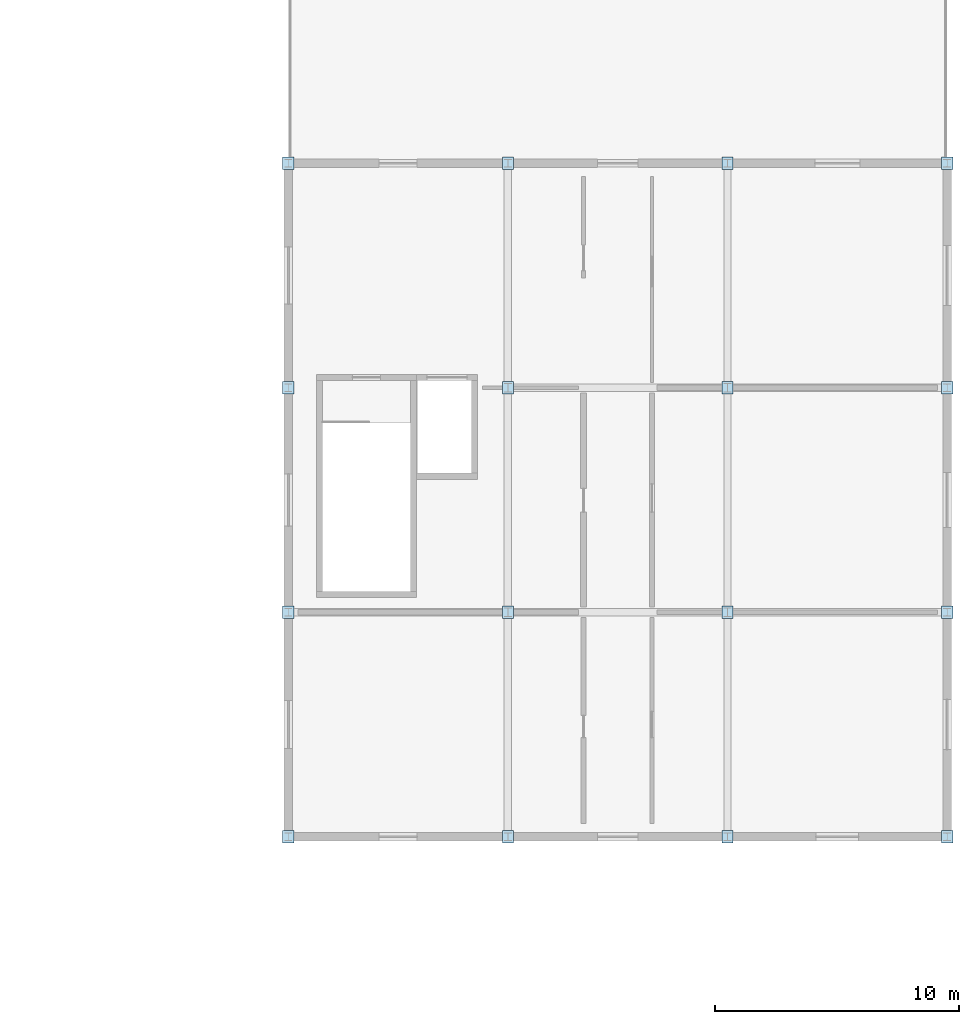
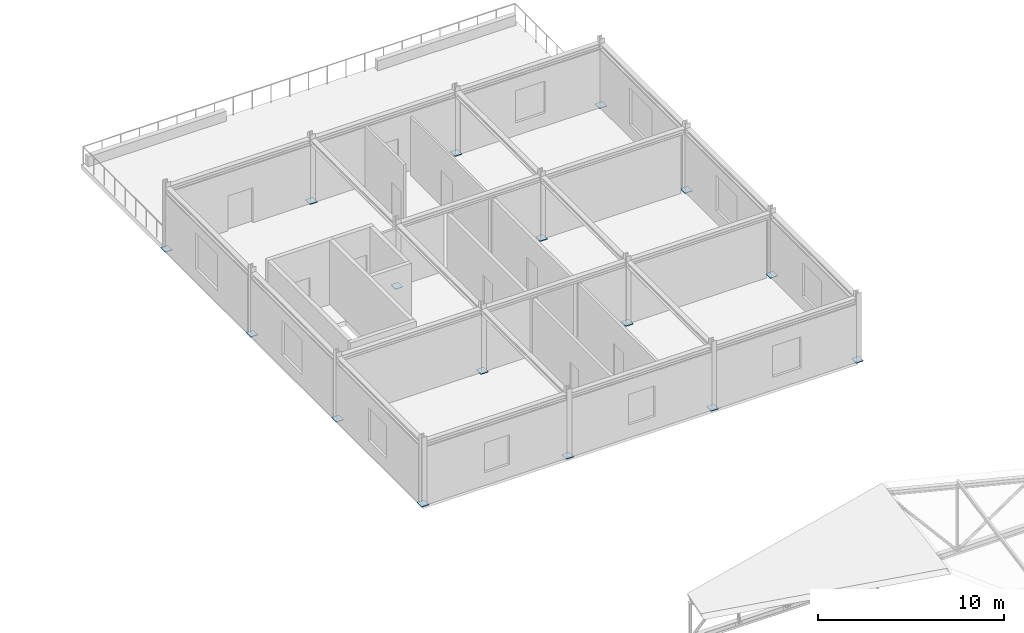
# One storey, part 26 of 33: 16 plates.
"""IFC4 building model written with IfcOpenShell, lengths in metres."""

from ifc_helpers import new_model, si_unit, direction, frame, origin, origin_2d, place, context, subcontext, project, spatial, rectangle, extrude, material, layer, layer_set, type_object, element, save


model = new_model("IFC4")

# Units and contexts
model_context = context("Model", 3, precision=1e-05, world=origin(), true_north=direction((0.0, 1.0)))
body_context = subcontext(model_context, "Body", "Model", "MODEL_VIEW")
ifc_project = project(units=[si_unit("LENGTHUNIT", "METRE"), si_unit("AREAUNIT", "SQUARE_METRE"), si_unit("VOLUMEUNIT", "CUBIC_METRE"), si_unit("PLANEANGLEUNIT", "RADIAN"), si_unit("MASSUNIT", "GRAM", prefix="KILO")], contexts=[model_context])

# Site, building, storey
site_placement = place(None, origin())
site = spatial("IfcSite", under=ifc_project, at=site_placement, CompositionType="ELEMENT")
building_placement = place(site_placement, origin())
building = spatial("IfcBuilding", under=site, at=building_placement, Name="Bozkorgan Art Gallery", CompositionType="ELEMENT")
storey_placement = place(building_placement, frame((0.0, 0.0, 19.5)))
storey = spatial("IfcBuildingStorey", under=building, at=storey_placement, Name="L04", CompositionType="ELEMENT", Elevation=19.5)

# Plates
ifc_material = material(Name="Steel S355J2", Category="steel")
ifc_layer_1 = layer(ifc_material, 0.031982421875, Name="Steel S355J2")
ifc_layer_set_1 = layer_set([ifc_layer_1], Name="Steel S355J2")
plate_type_1 = type_object("IfcPlateType", Name="PLATE-BP-30", PredefinedType="USERDEFINED", material=ifc_layer_set_1)
for number, where, z_axis, x_axis, name in (
    (1, (137.0, 66.0, 0.0), (0.0, 0.0, 1.0), (1.0, 0.0, 0.0), "COL-V5-L04-137-66 base plate"),
    (2, (137.0, 75.199951171875, 0.0), (0.0, 0.0, 1.0), (1.0, 0.0, 0.0), "COL-V5-L04-137-75 base plate"),
    (3, (137.0, 84.39990234375, 0.0), (0.0, 0.0, 1.0), (1.0, 0.0, 0.0), "COL-V5-L04-137-84 base plate"),
    (4, (137.0, 93.60009765625, 0.0), (0.0, 0.0, 1.0), (1.0, 0.0, 0.0), "COL-V5-L04-137-94 base plate"),
    (5, (146.0, 66.0, 0.0), (0.0, 0.0, 1.0), (1.0, 0.0, 0.0), "COL-V5-L04-146-66 base plate"),
    (6, (146.0, 93.60009765625, 0.0), (0.0, 0.0, 1.0), (1.0, 0.0, 0.0), "COL-V5-L04-146-94 base plate"),
    (7, (155.0, 66.0, 0.0), (0.0, 0.0, 1.0), (1.0, 0.0, 0.0), "COL-V5-L04-155-66 base plate"),
    (8, (155.0, 93.60009765625, 0.0), (0.0, 0.0, 1.0), (1.0, 0.0, 0.0), "COL-V5-L04-155-94 base plate"),
    (9, (164.0, 66.0, 0.0), (0.0, 0.0, 1.0), (1.0, 0.0, 0.0), "COL-V5-L04-164-66 base plate"),
    (10, (164.0, 75.199951171875, 0.0), (0.0, 0.0, 1.0), (1.0, 0.0, 0.0), "COL-V5-L04-164-75 base plate"),
    (11, (164.0, 84.39990234375, 0.0), (0.0, 0.0, 1.0), (1.0, 0.0, 0.0), "COL-V5-L04-164-84 base plate"),
    (12, (164.0, 93.60009765625, 0.0), (0.0, 0.0, 1.0), (1.0, 0.0, 0.0), "COL-V5-L04-164-94 base plate"),
):
    element("IfcPlate", number, at=place(storey_placement, frame(where, z_axis=z_axis, x_axis=x_axis)), inside=storey, type_object=plate_type_1, Name=name, ObjectType="END CAP PLATE", PredefinedType="USERDEFINED", context=body_context, shape_type="SweptSolid", body=[
        extrude(rectangle(XDim=0.4599609375, YDim=0.5, at=origin_2d()), origin(), (0.0, 0.0, 1.0), 0.031982421875),
    ])
ifc_layer_2 = layer(ifc_material, 0.031982421875, Name="Steel S355J2")
ifc_layer_set_2 = layer_set([ifc_layer_2], Name="Steel S355J2")
plate_type_2 = type_object("IfcPlateType", Name="PLATE-BP-81", PredefinedType="USERDEFINED", material=ifc_layer_set_2)
for number, where, z_axis, x_axis, name in (
    (13, (146.0, 75.199951171875, 0.0), (0.0, 0.0, 1.0), (1.0, 0.0, 0.0), "COL-V5-L04-146-75 base plate"),
    (14, (146.0, 84.39990234375, 0.0), (0.0, 0.0, 1.0), (1.0, 0.0, 0.0), "COL-V5-L04-146-84 base plate"),
    (15, (155.0, 75.199951171875, 0.0), (0.0, 0.0, 1.0), (1.0, 0.0, 0.0), "COL-V5-L04-155-75 base plate"),
    (16, (155.0, 84.39990234375, 0.0), (0.0, 0.0, 1.0), (1.0, 0.0, 0.0), "COL-V5-L04-155-84 base plate"),
):
    element("IfcPlate", number, at=place(storey_placement, frame(where, z_axis=z_axis, x_axis=x_axis)), inside=storey, type_object=plate_type_2, Name=name, ObjectType="END CAP PLATE", PredefinedType="USERDEFINED", context=body_context, shape_type="SweptSolid", body=[
        extrude(rectangle(XDim=0.4599609375, YDim=0.510009765625, at=origin_2d()), origin(), (0.0, 0.0, 1.0), 0.031982421875),
    ])

save(model, "model.ifc")
